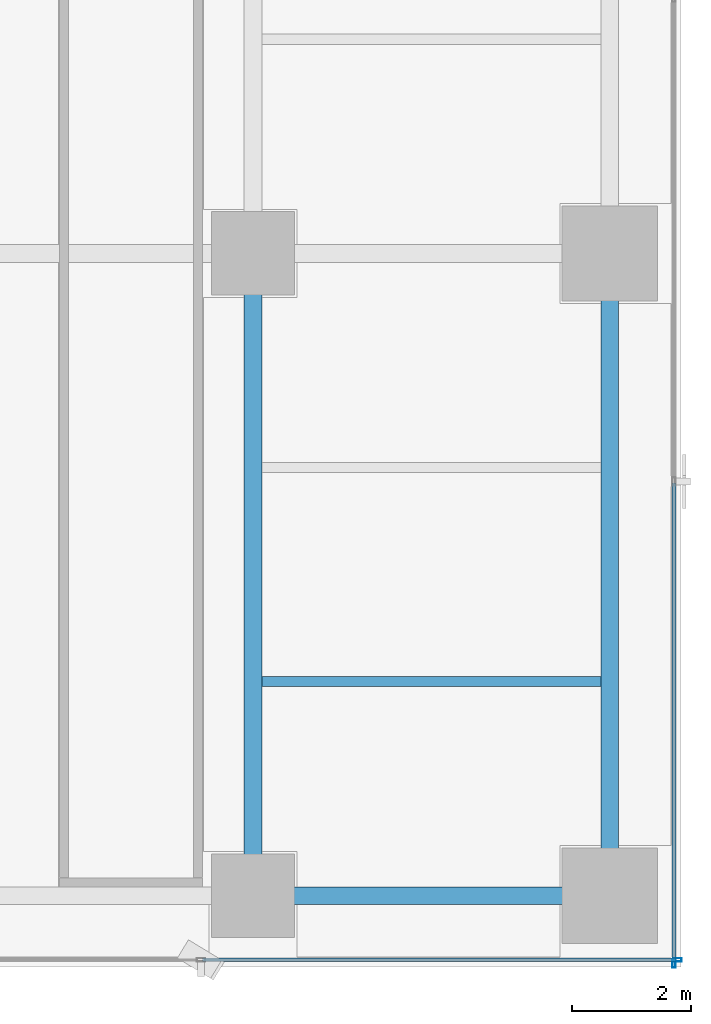
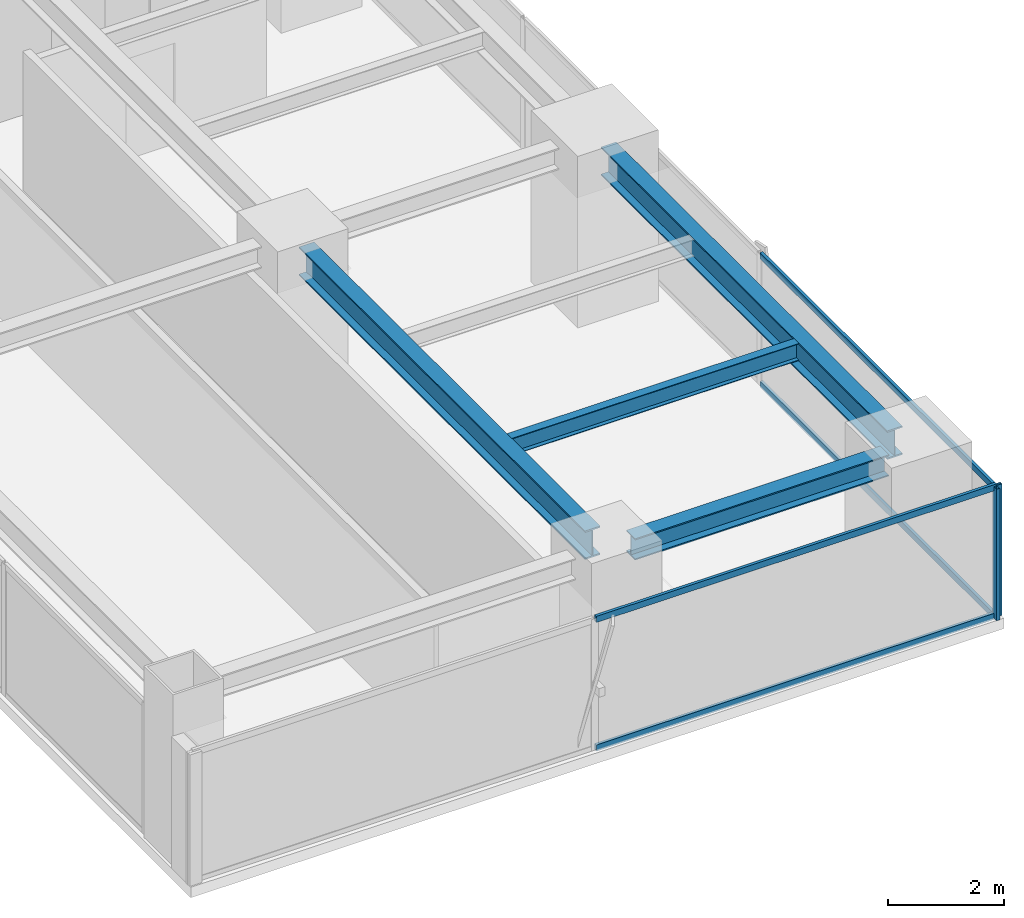
# One storey, part 13 of 29: 6 members, 4 beams, 2 elements without a shape of their own.
"""IFC4 building model written with IfcOpenShell, lengths in metres."""

from ifc_helpers import new_model, si_unit, direction, frame, origin, origin_2d, place, context, subcontext, project, spatial, hollow_rectangle, i_section, extrude, source, transform, mapped, material, layer, layer_set, material_profile, profile_set, type_object, element, aggregate, save


model = new_model("IFC4")

# Units and contexts
model_context = context("Model", 3, precision=1e-05, world=origin(), true_north=direction((0.0, 1.0)))
body_context = subcontext(model_context, "Body", "Model", "MODEL_VIEW")
ifc_project = project(units=[si_unit("LENGTHUNIT", "METRE"), si_unit("AREAUNIT", "SQUARE_METRE"), si_unit("VOLUMEUNIT", "CUBIC_METRE"), si_unit("PLANEANGLEUNIT", "RADIAN"), si_unit("MASSUNIT", "GRAM", prefix="KILO")], contexts=[model_context])

# Site, building, storey
site_placement = place(None, origin())
site = spatial("IfcSite", under=ifc_project, at=site_placement, CompositionType="ELEMENT")
building_placement = place(site_placement, origin())
building = spatial("IfcBuilding", under=site, at=building_placement, Name="Sumidabori Civic Tower", CompositionType="ELEMENT")
storey_placement = place(building_placement, frame((0.0, 0.0, 214.39990234375)))
storey = spatial("IfcBuildingStorey", under=building, at=storey_placement, Name="L55", CompositionType="ELEMENT", Elevation=214.39990234375)

# Beams
ifc_material_1 = material(Name="Steel SN490", Category="steel")
ifc_material_profile_1 = material_profile(ifc_material_1, i_section(OverallWidth=0.300048828125, OverallDepth=0.60009765625, WebThickness=0.015380859375, FlangeThickness=0.030029296875, at=origin_2d()), Name="HE 600 B")
ifc_profile_set_1 = profile_set([ifc_material_profile_1], Name="Steel SN490")
beam_type_1 = type_object("IfcBeamType", Name="BM-GIRD-600", PredefinedType="BEAM", material=ifc_profile_set_1)
shared_shape_1 = source(origin(), body_context, "Body", "SweptSolid", [
    extrude(i_section(OverallWidth=0.300048828125, OverallDepth=0.60009765625, WebThickness=0.015380859375, FlangeThickness=0.030029296875, at=origin_2d()), origin(), (0.0, 0.0, 1.0), 9.840087890625),
])
for number, where, z_axis, x_axis, name in (
    (1, (16.800048828125, -10.320068359375, 3.080078125), (0.0, 1.0, 0.0), (-1.0, 0.0, 0.0), "Primary Girder L55 GY-19"),
    (2, (22.800048828125, -10.320068359375, 3.080078125), (0.0, 1.0, 0.0), (-1.0, 0.0, 0.0), "Primary Girder L55 GY-22"),
):
    element("IfcBeam", number, at=place(storey_placement, frame(where, z_axis=z_axis, x_axis=x_axis)), inside=storey, type_object=beam_type_1, Name=name, PredefinedType="BEAM", context=body_context, shape_type="MappedRepresentation", body=[
        mapped(shared_shape_1, transform((0.0, 0.0, 0.0), x_axis=(1.0, 0.0, 0.0), y_axis=(0.0, 1.0, 0.0), z_axis=(0.0, 0.0, 1.0), scale=1.0)),
    ])
ifc_material_profile_2 = material_profile(ifc_material_1, i_section(OverallWidth=0.169921875, OverallDepth=0.360107421875, WebThickness=0.008056640625, FlangeThickness=0.0126953125, at=origin_2d()), Name="IPE 360")
ifc_profile_set_2 = profile_set([ifc_material_profile_2], Name="Steel SN490")
beam_type_2 = type_object("IfcBeamType", Name="BM-JST-360", PredefinedType="JOIST", material=ifc_profile_set_2)
shared_shape_2 = source(origin(), body_context, "Body", "SweptSolid", [
    extrude(i_section(OverallWidth=0.169921875, OverallDepth=0.360107421875, WebThickness=0.008056640625, FlangeThickness=0.0126953125, at=origin_2d()), origin(), (0.0, 0.0, 1.0), 5.699951171875),
])
beam_1_placement = place(storey_placement, frame((16.949951171875, -7.199951171875, 3.2001953125), z_axis=(1.0, 0.0, 0.0), x_axis=(0.0, 1.0, 0.0)))
element("IfcBeam", 3, at=beam_1_placement, inside=storey, type_object=beam_type_2, Name="Outer Bay Floor Joist L55 JSTO-26", PredefinedType="JOIST", context=body_context, shape_type="MappedRepresentation", body=[
    mapped(shared_shape_2, transform((0.0, 0.0, 0.0), x_axis=(1.0, 0.0, 0.0), y_axis=(0.0, 1.0, 0.0), z_axis=(0.0, 0.0, 1.0), scale=1.0)),
])
ifc_material_profile_3 = material_profile(ifc_material_1, i_section(OverallWidth=0.300048828125, OverallDepth=0.449951171875, WebThickness=0.013916015625, FlangeThickness=0.02587890625, at=origin_2d()), Name="HE 450 B")
ifc_profile_set_3 = profile_set([ifc_material_profile_3], Name="Steel SN490")
beam_type_3 = type_object("IfcBeamType", Name="BM-GIRD-450", PredefinedType="BEAM", material=ifc_profile_set_3)
shared_shape_3 = source(origin(), body_context, "Body", "SweptSolid", [
    extrude(i_section(OverallWidth=0.300048828125, OverallDepth=0.449951171875, WebThickness=0.013916015625, FlangeThickness=0.02587890625, at=origin_2d()), origin(), (0.0, 0.0, 1.0), 5.0400390625),
])
beam_2_placement = place(storey_placement, frame((17.280029296875, -10.800048828125, 3.155029296875), z_axis=(1.0, 0.0, 0.0), x_axis=(0.0, 1.0, 0.0)))
element("IfcBeam", 4, at=beam_2_placement, inside=storey, type_object=beam_type_3, Name="Primary Girder L55 GX-04", PredefinedType="BEAM", context=body_context, shape_type="MappedRepresentation", body=[
    mapped(shared_shape_3, transform((0.0, 0.0, 0.0), x_axis=(1.0, 0.0, 0.0), y_axis=(0.0, 1.0, 0.0), z_axis=(0.0, 0.0, 1.0), scale=1.0)),
])

# Curtain wall, member
ifc_material_2 = material(Name="Anodised Bronze Aluminium AW-6063-T6", Category="aluminium")
ifc_layer = layer(ifc_material_2, 0.179931640625, Name="Anodised Bronze Aluminium AW-6063-T6")
ifc_layer_set = layer_set([ifc_layer], Name="Anodised Bronze Aluminium AW-6063-T6")
curtain_wall_type = type_object("IfcCurtainWallType", Name="CW-SYS-5", PredefinedType="NOTDEFINED", material=ifc_layer_set)
curtain_wall_1_placement = place(storey_placement, origin())
curtain_wall_1 = element("IfcCurtainWall", 5, at=curtain_wall_1_placement, inside=storey, type_object=curtain_wall_type, Name="Curtain Wall CW:L55:R09", PredefinedType="NOTDEFINED")
ifc_material_profile_4 = material_profile(ifc_material_2, hollow_rectangle(XDim=0.06005859375, YDim=0.139892578125, WallThickness=0.0048828125, at=origin_2d()), Name="ALU MULLION 140x60")
ifc_profile_set_4 = profile_set([ifc_material_profile_4], Name="Anodised Bronze Aluminium AW-6063-T6")
member_type_1 = type_object("IfcMemberType", Name="CW-MUL-140", PredefinedType="MULLION", material=ifc_profile_set_4)
shared_shape_4 = source(origin(), body_context, "Body", "SweptSolid", [
    extrude(hollow_rectangle(XDim=0.06005859375, YDim=0.139892578125, WallThickness=0.0048828125, at=origin_2d()), origin(), (0.0, 0.0, 1.0), 2.760009765625),
])
member_1_placement = place(storey_placement, frame((23.93994140625, -11.8798828125, 0.0), z_axis=(0.0, 0.0, 1.0), x_axis=(0.0, 1.0, 0.0)))
member_1 = element("IfcMember", 6, at=member_1_placement, type_object=member_type_1, Name="CW-5 mullion 3", PredefinedType="MULLION", context=body_context, shape_type="MappedRepresentation", body=[
    mapped(shared_shape_4, transform((0.0, 0.0, 0.0), x_axis=(1.0, 0.0, 0.0), y_axis=(0.0, 1.0, 0.0), z_axis=(0.0, 0.0, 1.0), scale=1.0)),
])

curtain_wall_2_placement = place(storey_placement, origin())
curtain_wall_2 = element("IfcCurtainWall", 7, at=curtain_wall_2_placement, inside=storey, type_object=curtain_wall_type, Name="Curtain Wall CW:L55:R10", PredefinedType="NOTDEFINED")
member_2_placement = place(storey_placement, frame((23.8798828125, -11.93994140625, 0.0), z_axis=(0.0, 0.0, 1.0), x_axis=(-1.0, 0.0, 0.0)))
member_2 = element("IfcMember", 8, at=member_2_placement, type_object=member_type_1, Name="CW-5 mullion 1", PredefinedType="MULLION", context=body_context, shape_type="MappedRepresentation", body=[
    mapped(shared_shape_4, transform((0.0, 0.0, 0.0), x_axis=(1.0, 0.0, 0.0), y_axis=(0.0, 1.0, 0.0), z_axis=(0.0, 0.0, 1.0), scale=1.0)),
])

# Member
ifc_material_profile_5 = material_profile(ifc_material_2, hollow_rectangle(XDim=0.06005859375, YDim=0.1298828125, WallThickness=0.0048828125, at=origin_2d()), Name="ALU TRANSOM 130x60")
ifc_profile_set_5 = profile_set([ifc_material_profile_5], Name="Anodised Bronze Aluminium AW-6063-T6")
member_type_2 = type_object("IfcMemberType", Name="CW-TRN-130", PredefinedType="USERDEFINED", material=ifc_profile_set_5)
shared_shape_5 = source(origin(), body_context, "Body", "SweptSolid", [
    extrude(hollow_rectangle(XDim=0.06005859375, YDim=0.1298828125, WallThickness=0.0048828125, at=origin_2d()), origin(), (0.0, 0.0, 1.0), 7.954833984375),
])
member_3_placement = place(storey_placement, frame((15.955078125, -11.8798828125, 0.030029296875), z_axis=(1.0, 0.0, 0.0), x_axis=(0.0, 1.0, 0.0)))
member_3 = element("IfcMember", 9, at=member_3_placement, type_object=member_type_2, Name="CW-5 transom 2.1", ObjectType="TRANSOM", PredefinedType="USERDEFINED", context=body_context, shape_type="MappedRepresentation", body=[
    mapped(shared_shape_5, transform((0.0, 0.0, 0.0), x_axis=(1.0, 0.0, 0.0), y_axis=(0.0, 1.0, 0.0), z_axis=(0.0, 0.0, 1.0), scale=1.0)),
])

member_4_placement = place(storey_placement, frame((15.955078125, -11.8798828125, 2.72998046875), z_axis=(1.0, 0.0, 0.0), x_axis=(0.0, 1.0, 0.0)))
member_4 = element("IfcMember", 10, at=member_4_placement, type_object=member_type_2, Name="CW-5 transom 2.2", ObjectType="TRANSOM", PredefinedType="USERDEFINED", context=body_context, shape_type="MappedRepresentation", body=[
    mapped(shared_shape_5, transform((0.0, 0.0, 0.0), x_axis=(1.0, 0.0, 0.0), y_axis=(0.0, 1.0, 0.0), z_axis=(0.0, 0.0, 1.0), scale=1.0)),
])

aggregate(curtain_wall_1, [member_1, member_3, member_4])

shared_shape_6 = source(origin(), body_context, "Body", "SweptSolid", [
    extrude(hollow_rectangle(XDim=0.06005859375, YDim=0.1298828125, WallThickness=0.0048828125, at=origin_2d()), origin(), (0.0, 0.0, 1.0), 8.044921875),
])
member_5_placement = place(storey_placement, frame((23.8798828125, -11.909912109375, 0.030029296875), z_axis=(0.0, 1.0, 0.0), x_axis=(-1.0, 0.0, 0.0)))
member_5 = element("IfcMember", 11, at=member_5_placement, type_object=member_type_2, Name="CW-5 transom 1.1", ObjectType="TRANSOM", PredefinedType="USERDEFINED", context=body_context, shape_type="MappedRepresentation", body=[
    mapped(shared_shape_6, transform((0.0, 0.0, 0.0), x_axis=(1.0, 0.0, 0.0), y_axis=(0.0, 1.0, 0.0), z_axis=(0.0, 0.0, 1.0), scale=1.0)),
])

member_6_placement = place(storey_placement, frame((23.8798828125, -11.909912109375, 2.72998046875), z_axis=(0.0, 1.0, 0.0), x_axis=(-1.0, 0.0, 0.0)))
member_6 = element("IfcMember", 12, at=member_6_placement, type_object=member_type_2, Name="CW-5 transom 1.2", ObjectType="TRANSOM", PredefinedType="USERDEFINED", context=body_context, shape_type="MappedRepresentation", body=[
    mapped(shared_shape_6, transform((0.0, 0.0, 0.0), x_axis=(1.0, 0.0, 0.0), y_axis=(0.0, 1.0, 0.0), z_axis=(0.0, 0.0, 1.0), scale=1.0)),
])

aggregate(curtain_wall_2, [member_2, member_5, member_6])

save(model, "model.ifc")
